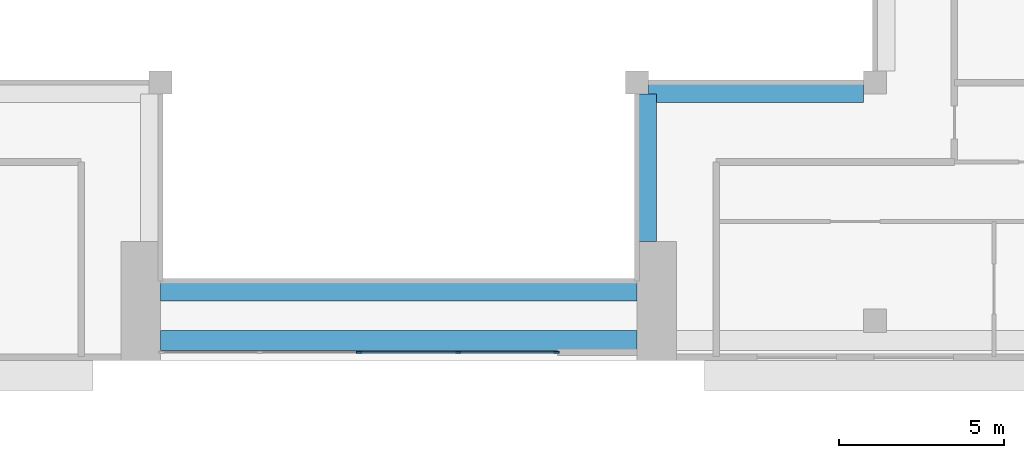
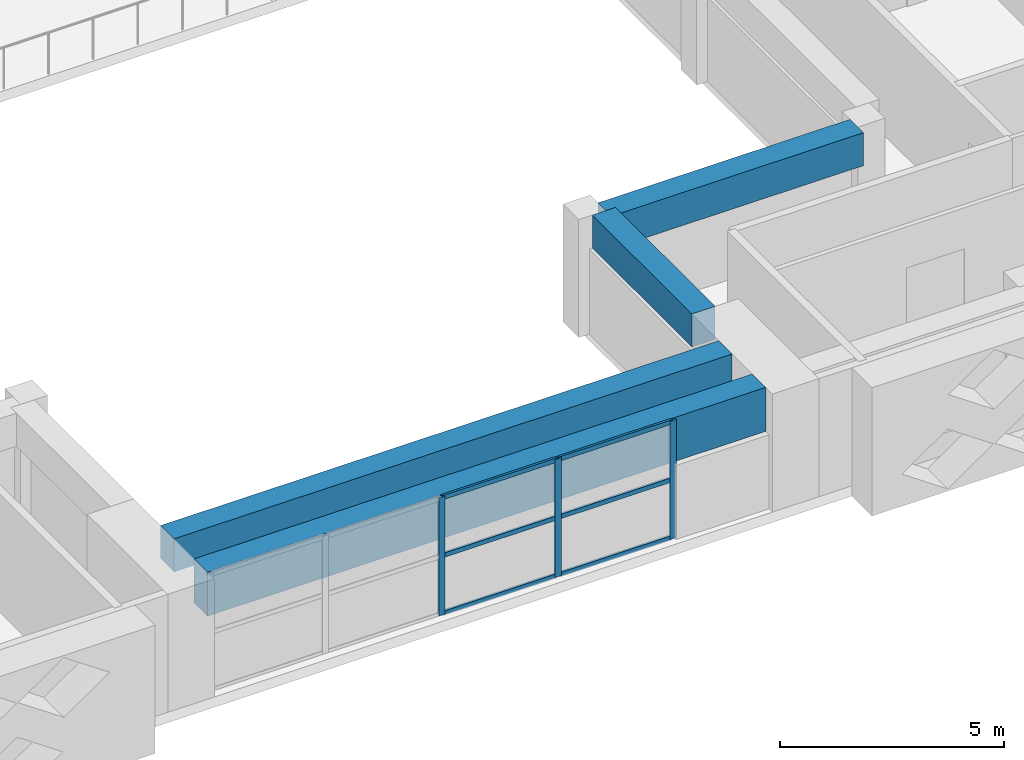
# One storey, part 4 of 18: 9 members, 4 beams, 1 element without a shape of its own.
"""IFC4 building model written with IfcOpenShell, lengths in metres."""

from ifc_helpers import new_model, si_unit, direction, frame, origin, origin_2d, place, context, subcontext, project, spatial, rectangle, extrude, source, transform, mapped, material, layer, layer_set, material_profile, profile_set, type_object, element, aggregate, save


model = new_model("IFC4")

# Units and contexts
model_context = context("Model", 3, precision=1e-05, world=origin(), true_north=direction((0.0, 1.0)))
body_context = subcontext(model_context, "Body", "Model", "MODEL_VIEW")
ifc_project = project(units=[si_unit("LENGTHUNIT", "METRE"), si_unit("AREAUNIT", "SQUARE_METRE"), si_unit("VOLUMEUNIT", "CUBIC_METRE"), si_unit("PLANEANGLEUNIT", "RADIAN"), si_unit("MASSUNIT", "GRAM", prefix="KILO")], contexts=[model_context])

# Site, building, storey
site_placement = place(None, origin())
site = spatial("IfcSite", under=ifc_project, at=site_placement, CompositionType="ELEMENT")
building_placement = place(site_placement, origin())
building = spatial("IfcBuilding", under=site, at=building_placement, Name="Saffron Iwan Residences", CompositionType="ELEMENT")
storey_placement = place(building_placement, frame((0.0, 0.0, 260.5)))
storey = spatial("IfcBuildingStorey", under=building, at=storey_placement, Name="L70", CompositionType="ELEMENT", Elevation=260.5)

# Beams
ifc_material_1 = material(Name="Concrete C40/50", Category="concrete")
ifc_material_profile_1 = material_profile(ifc_material_1, rectangle(XDim=0.60009765625, YDim=1.199951171875, at=origin_2d()), Name="RC 600x1200")
ifc_profile_set_1 = profile_set([ifc_material_profile_1], Name="Concrete C40/50")
beam_type_1 = type_object("IfcBeamType", Name="LINTEL BEAM RC 600x1200 C40/50 TOP 3220", PredefinedType="LINTEL", material=ifc_profile_set_1)
shared_shape_1 = source(origin(), body_context, "Body", "SweptSolid", [
    extrude(rectangle(XDim=0.60009765625, YDim=1.199951171875, at=origin_2d()), origin(), (0.0, 0.0, 1.0), 14.400146484375),
])
beam_1_placement = place(storey_placement, frame((57.60009765625, 40.199951171875, 2.6201171875), z_axis=(-1.0, 0.0, 0.0), x_axis=(0.0, -1.0, 0.0)))
element("IfcBeam", 1, at=beam_1_placement, inside=storey, type_object=beam_type_1, Name="Lintel beam over the iwan", PredefinedType="LINTEL", context=body_context, shape_type="MappedRepresentation", body=[
    mapped(shared_shape_1, transform((0.0, 0.0, 0.0))),
])
ifc_material_profile_2 = material_profile(ifc_material_1, rectangle(XDim=0.60009765625, YDim=0.89990234375, at=origin_2d()), Name="RC 600x900")
ifc_profile_set_2 = profile_set([ifc_material_profile_2], Name="Concrete C40/50")
beam_type_2 = type_object("IfcBeamType", Name="BEAM RC 600x900 C40/50 TOP 3220", PredefinedType="BEAM", material=ifc_profile_set_2)
shared_shape_2 = source(origin(), body_context, "Body", "SweptSolid", [
    extrude(rectangle(XDim=0.60009765625, YDim=0.89990234375, at=origin_2d()), origin(), (0.0, 0.0, 1.0), 14.400146484375),
])
beam_2_placement = place(storey_placement, frame((57.60009765625, 41.699951171875, 2.77001953125), z_axis=(-1.0, 0.0, 0.0), x_axis=(0.0, -1.0, 0.0)))
element("IfcBeam", 2, at=beam_2_placement, inside=storey, type_object=beam_type_2, Name="Atrium edge beam", PredefinedType="BEAM", context=body_context, shape_type="MappedRepresentation", body=[
    mapped(shared_shape_2, transform((0.0, 0.0, 0.0))),
])
shared_shape_3 = source(origin(), body_context, "Body", "SweptSolid", [
    extrude(rectangle(XDim=0.60009765625, YDim=0.89990234375, at=origin_2d()), origin(), (0.0, 0.0, 1.0), 4.449951171875),
])
beam_3_placement = place(storey_placement, frame((57.89990234375, 47.64990234375, 2.77001953125), z_axis=(0.0, -1.0, 0.0), x_axis=(1.0, 0.0, 0.0)))
element("IfcBeam", 3, at=beam_3_placement, inside=storey, type_object=beam_type_2, Name="Atrium edge beam", PredefinedType="BEAM", context=body_context, shape_type="MappedRepresentation", body=[
    mapped(shared_shape_3, transform((0.0, 0.0, 0.0))),
])
shared_shape_4 = source(origin(), body_context, "Body", "SweptSolid", [
    extrude(rectangle(XDim=0.60009765625, YDim=0.89990234375, at=origin_2d()), origin(), (0.0, 0.0, 1.0), 6.5),
])
beam_4_placement = place(storey_placement, frame((64.449951171875, 47.699951171875, 2.77001953125), z_axis=(-1.0, 0.0, 0.0), x_axis=(0.0, -1.0, 0.0)))
element("IfcBeam", 4, at=beam_4_placement, inside=storey, type_object=beam_type_2, Name="Atrium edge beam", PredefinedType="BEAM", context=body_context, shape_type="MappedRepresentation", body=[
    mapped(shared_shape_4, transform((0.0, 0.0, 0.0))),
])

# Curtain wall, members
ifc_material_2 = material(Name="Clear glass, laminated double glazed", Category="glass")
ifc_layer = layer(ifc_material_2, 0.199951171875)
ifc_layer_set = layer_set([ifc_layer], Name="Clear glass, laminated double glazed")
curtain_wall_type = type_object("IfcCurtainWallType", Name="CW-B IWAN PORTAL", PredefinedType="NOTDEFINED", material=ifc_layer_set)
curtain_wall_placement = place(storey_placement, origin())
curtain_wall = element("IfcCurtainWall", 5, at=curtain_wall_placement, inside=storey, type_object=curtain_wall_type, Name="Iwan portal glazing L70.1", PredefinedType="NOTDEFINED")
ifc_material_3 = material(Name="Aluminium 6063-T6", Category="aluminium")
ifc_material_profile_3 = material_profile(ifc_material_3, rectangle(XDim=0.06005859375, YDim=0.1201171875, at=origin_2d()), Name="CW-B TRANSOM 60 x 120")
ifc_profile_set_3 = profile_set([ifc_material_profile_3], Name="Aluminium 6063-T6")
member_type_1 = type_object("IfcMemberType", Name="CW-B TRANSOM 60 x 120", PredefinedType="USERDEFINED", material=ifc_profile_set_3)
shared_shape_5 = source(origin(), body_context, "Body", "SweptSolid", [
    extrude(rectangle(XDim=0.06005859375, YDim=0.1201171875, at=origin_2d()), origin(), (0.0, 0.0, 1.0), 2.909912109375),
])
member_1_placement = place(storey_placement, frame((52.22998046875, 39.85009765625, 0.030029296875), z_axis=(1.0, 0.0, 0.0), x_axis=(0.0, 1.0, 0.0)))
member_1 = element("IfcMember", 6, at=member_1_placement, type_object=member_type_1, Name="CW-B transom 4.1", ObjectType="TRANSOM", PredefinedType="USERDEFINED", context=body_context, shape_type="MappedRepresentation", body=[
    mapped(shared_shape_5, transform((0.0, 0.0, 0.0))),
])
member_2_placement = place(storey_placement, frame((52.22998046875, 39.85009765625, 1.610107421875), z_axis=(1.0, 0.0, 0.0), x_axis=(0.0, 1.0, 0.0)))
member_2 = element("IfcMember", 7, at=member_2_placement, type_object=member_type_1, Name="CW-B transom 4.2", ObjectType="TRANSOM", PredefinedType="USERDEFINED", context=body_context, shape_type="MappedRepresentation", body=[
    mapped(shared_shape_5, transform((0.0, 0.0, 0.0))),
])
member_3_placement = place(storey_placement, frame((52.22998046875, 39.85009765625, 3.18994140625), z_axis=(1.0, 0.0, 0.0), x_axis=(0.0, 1.0, 0.0)))
member_3 = element("IfcMember", 8, at=member_3_placement, type_object=member_type_1, Name="CW-B transom 4.3", ObjectType="TRANSOM", PredefinedType="USERDEFINED", context=body_context, shape_type="MappedRepresentation", body=[
    mapped(shared_shape_5, transform((0.0, 0.0, 0.0))),
])
shared_shape_6 = source(origin(), body_context, "Body", "SweptSolid", [
    extrude(rectangle(XDim=0.06005859375, YDim=0.1201171875, at=origin_2d()), origin(), (0.0, 0.0, 1.0), 2.93994140625),
])
member_4_placement = place(storey_placement, frame((49.22998046875, 39.85009765625, 0.030029296875), z_axis=(1.0, 0.0, 0.0), x_axis=(0.0, 1.0, 0.0)))
member_4 = element("IfcMember", 9, at=member_4_placement, type_object=member_type_1, Name="CW-B transom 3.1", ObjectType="TRANSOM", PredefinedType="USERDEFINED", context=body_context, shape_type="MappedRepresentation", body=[
    mapped(shared_shape_6, transform((0.0, 0.0, 0.0))),
])
member_5_placement = place(storey_placement, frame((49.22998046875, 39.85009765625, 1.610107421875), z_axis=(1.0, 0.0, 0.0), x_axis=(0.0, 1.0, 0.0)))
member_5 = element("IfcMember", 10, at=member_5_placement, type_object=member_type_1, Name="CW-B transom 3.2", ObjectType="TRANSOM", PredefinedType="USERDEFINED", context=body_context, shape_type="MappedRepresentation", body=[
    mapped(shared_shape_6, transform((0.0, 0.0, 0.0))),
])
member_6_placement = place(storey_placement, frame((49.22998046875, 39.85009765625, 3.18994140625), z_axis=(1.0, 0.0, 0.0), x_axis=(0.0, 1.0, 0.0)))
member_6 = element("IfcMember", 11, at=member_6_placement, type_object=member_type_1, Name="CW-B transom 3.3", ObjectType="TRANSOM", PredefinedType="USERDEFINED", context=body_context, shape_type="MappedRepresentation", body=[
    mapped(shared_shape_6, transform((0.0, 0.0, 0.0))),
])
ifc_material_profile_4 = material_profile(ifc_material_3, rectangle(XDim=0.06005859375, YDim=0.159912109375, at=origin_2d()), Name="CW-B MULLION 60 x 160")
ifc_profile_set_4 = profile_set([ifc_material_profile_4], Name="Aluminium 6063-T6")
member_type_2 = type_object("IfcMemberType", Name="CW-B MULLION 60 x 160", PredefinedType="MULLION", material=ifc_profile_set_4)
shared_shape_7 = source(origin(), body_context, "Body", "SweptSolid", [
    extrude(rectangle(XDim=0.06005859375, YDim=0.159912109375, at=origin_2d()), origin(), (0.0, 0.0, 1.0), 3.219970703125),
])
member_7_placement = place(storey_placement, frame((49.199951171875, 39.85009765625, 0.0), z_axis=(0.0, 0.0, 1.0), x_axis=(0.0, 1.0, 0.0)))
member_7 = element("IfcMember", 12, at=member_7_placement, type_object=member_type_2, Name="CW-B mullion 3", PredefinedType="MULLION", context=body_context, shape_type="MappedRepresentation", body=[
    mapped(shared_shape_7, transform((0.0, 0.0, 0.0))),
])
member_8_placement = place(storey_placement, frame((52.199951171875, 39.85009765625, 0.0), z_axis=(0.0, 0.0, 1.0), x_axis=(0.0, 1.0, 0.0)))
member_8 = element("IfcMember", 13, at=member_8_placement, type_object=member_type_2, Name="CW-B mullion 4", PredefinedType="MULLION", context=body_context, shape_type="MappedRepresentation", body=[
    mapped(shared_shape_7, transform((0.0, 0.0, 0.0))),
])
member_9_placement = place(storey_placement, frame((55.169921875, 39.85009765625, 0.0), z_axis=(0.0, 0.0, 1.0), x_axis=(0.0, 1.0, 0.0)))
member_9 = element("IfcMember", 14, at=member_9_placement, type_object=member_type_2, Name="CW-B mullion 5", PredefinedType="MULLION", context=body_context, shape_type="MappedRepresentation", body=[
    mapped(shared_shape_7, transform((0.0, 0.0, 0.0))),
])
aggregate(curtain_wall, [member_7, member_8, member_9, member_4, member_5, member_6, member_1, member_2, member_3])

save(model, "model.ifc")
